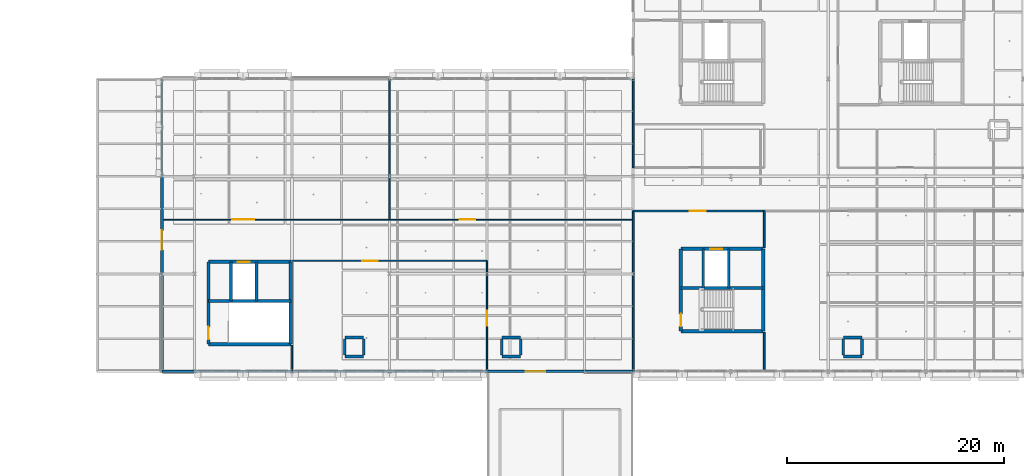
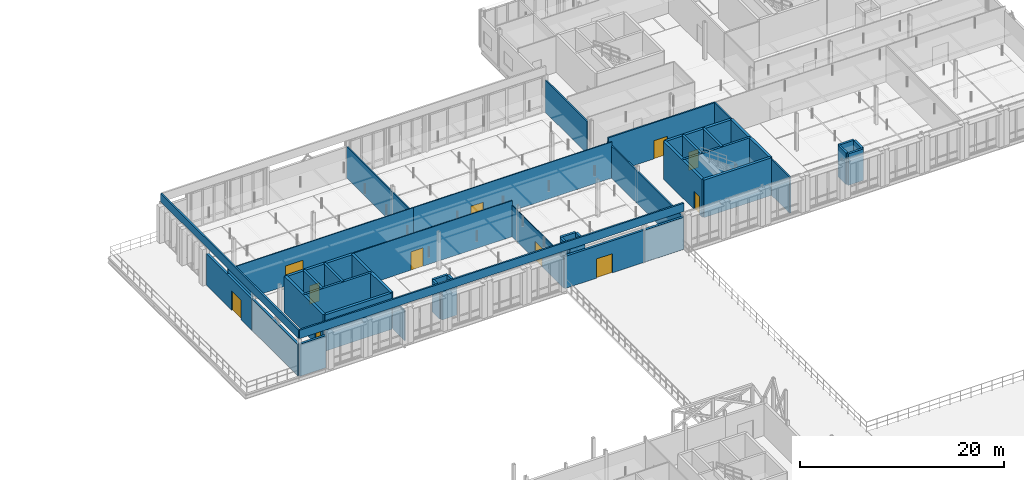
# One storey, part 48 of 89: 44 walls, 11 doors, 11 openings.
"""IFC4 building model written with IfcOpenShell, lengths in metres."""

from ifc_helpers import new_model, si_unit, direction, frame, frame_2d, origin, place, context, subcontext, project, spatial, rectangle, extrude, material, layer, layer_set, type_object, element, fill, save


model = new_model("IFC4")

# Units and contexts
model_context = context("Model", 3, precision=1e-05, world=origin(), true_north=direction((0.0, 1.0)))
body_context = subcontext(model_context, "Body", "Model", "MODEL_VIEW")
ifc_project = project(units=[si_unit("LENGTHUNIT", "METRE"), si_unit("AREAUNIT", "SQUARE_METRE"), si_unit("VOLUMEUNIT", "CUBIC_METRE"), si_unit("PLANEANGLEUNIT", "RADIAN"), si_unit("MASSUNIT", "GRAM", prefix="KILO"), si_unit("THERMODYNAMICTEMPERATUREUNIT", "KELVIN"), si_unit("POWERUNIT", "WATT")], contexts=[model_context])

# Site, building, storey
site_placement = place(None, origin())
site = spatial("IfcSite", under=ifc_project, at=site_placement, CompositionType="ELEMENT")
building_placement = place(site_placement, origin())
building = spatial("IfcBuilding", under=site, at=building_placement, Name="Tallowbark Science Centre", CompositionType="ELEMENT")
storey_placement = place(building_placement, frame((0.0, 0.0, 14.39990234375)))
storey = spatial("IfcBuildingStorey", under=building, at=storey_placement, Name="L03", CompositionType="ELEMENT", Elevation=14.39990234375)

# Walls
ifc_material_1 = material(Name="Precast Concrete Parapet Grade N40 (40 MPa)", Category="concrete")
ifc_layer_1 = layer(ifc_material_1, 0.18505859375)
ifc_layer_set_1 = layer_set([ifc_layer_1], Name="Precast Concrete Parapet Grade N40 (40 MPa)")
wall_type_1 = type_object("IfcWallType", Name="EWL-PAR-185", PredefinedType="PARAPET", material=ifc_layer_set_1)
wall_1_placement = place(storey_placement, frame((69.0, 72.0, 4.5), z_axis=(0.0, 0.0, 1.0), x_axis=(0.0, 1.0, 0.0)))
element("IfcWall", 1, at=wall_1_placement, inside=storey, type_object=wall_type_1, Name="Roof Parapet PAR-LAB-W", PredefinedType="PARAPET", context=body_context, shape_type="SweptSolid", body=[
    extrude(rectangle(XDim=27.0, YDim=0.18505859375, at=frame_2d((13.5, 0.0))), origin(), (0.0, 0.0, 1.0), 1.0),
])
wall_2_placement = place(storey_placement, frame((69.0, 72.0, 4.5), z_axis=(0.0, 0.0, 1.0), x_axis=(1.0, 0.0, 0.0)))
element("IfcWall", 2, at=wall_2_placement, inside=storey, type_object=wall_type_1, Name="Roof Parapet PAR-LAB-S", PredefinedType="PARAPET", context=body_context, shape_type="SweptSolid", body=[
    extrude(rectangle(XDim=43.5, YDim=0.18505859375, at=frame_2d((21.75, 0.0))), origin(), (0.0, 0.0, 1.0), 1.0),
])
ifc_material_2 = material(Name="Insulated Precast Concrete Panel Grade N40 (40 MPa)", Category="concrete")
ifc_layer_2 = layer(ifc_material_2, 0.25)
ifc_layer_set_2 = layer_set([ifc_layer_2], Name="Insulated Precast Concrete Panel Grade N40 (40 MPa)")
wall_type_2 = type_object("IfcWallType", Name="EWL-PRC-250", PredefinedType="STANDARD", material=ifc_layer_set_2)
wall_3_placement = place(storey_placement, frame((69.0, 72.0, 0.0), z_axis=(0.0, 0.0, 1.0), x_axis=(1.0, 0.0, 0.0)))
element("IfcWall", 3, at=wall_3_placement, inside=storey, type_object=wall_type_2, Name="Exterior Wall LAB-S-L03-69", PredefinedType="STANDARD", context=body_context, shape_type="SweptSolid", body=[
    extrude(rectangle(XDim=3.0, YDim=0.25, at=frame_2d((1.5, 0.0))), origin(), (0.0, 0.0, 1.0), 3.84619140625),
])

# Wall, opening, door
wall_4_placement = place(storey_placement, frame((99.0, 72.0, 0.0), z_axis=(0.0, 0.0, 1.0), x_axis=(1.0, 0.0, 0.0)))
wall_4 = element("IfcWall", 4, at=wall_4_placement, inside=storey, type_object=wall_type_2, Name="Exterior Wall LAB-S-L03-99", PredefinedType="STANDARD", context=body_context, shape_type="SweptSolid", body=[
    extrude(rectangle(XDim=9.0, YDim=0.25, at=frame_2d((4.5, 0.0))), origin(), (0.0, 0.0, 1.0), 3.84619140625),
])
opening_1_placement = place(wall_4_placement, frame((3.60009765625, 0.0, 0.0)))
opening_1 = element("IfcOpeningElement", 5, at=opening_1_placement, cuts=wall_4, Name="Opening ED-04", PredefinedType="OPENING", context=body_context, shape_type="SweptSolid", body=[
    extrude(rectangle(XDim=1.800048828125, YDim=2.300048828125, at=frame_2d((0.89990234375, 1.14990234375))), frame((0.0, 0.135009765625, 0.0), z_axis=(0.0, -1.0, 0.0), x_axis=(1.0, 0.0, 0.0)), (0.0, 0.0, 1.0), 0.27001953125),
])
ifc_material_3 = material(Name="Thermally Broken Glazed Aluminium Frame", Category="aluminium")
door_type_1 = type_object("IfcDoorType", Name="EDR-TER-180", OperationType="DOUBLE_DOOR_SINGLE_SWING", PredefinedType="DOOR", material=ifc_material_3)
door_1_placement = place(opening_1_placement, origin())
door_1 = element("IfcDoor", 6, at=door_1_placement, inside=storey, type_object=door_type_1, Name="Exterior Door EDR-L03-031", OperationType="DOUBLE_DOOR_SINGLE_SWING", OverallHeight=2.300048828125, OverallWidth=1.800048828125, PredefinedType="DOOR", context=body_context, shape_type="SweptSolid", body=[
    extrude(rectangle(XDim=1.800048828125, YDim=2.300048828125, at=frame_2d((0.89990234375, 1.14990234375))), frame((0.0, 0.02490234375, 0.0), z_axis=(0.0, -1.0, 0.0), x_axis=(1.0, 0.0, 0.0)), (0.0, 0.0, 1.0), 0.050048828125),
])
fill(opening_1, door_1)

# Walls
wall_5_placement = place(storey_placement, frame((108.0, 72.0, 0.0), z_axis=(0.0, 0.0, 1.0), x_axis=(1.0, 0.0, 0.0)))
element("IfcWall", 7, at=wall_5_placement, inside=storey, type_object=wall_type_2, Name="Exterior Wall LAB-S-L03-108", PredefinedType="STANDARD", context=body_context, shape_type="SweptSolid", body=[
    extrude(rectangle(XDim=4.5, YDim=0.25, at=frame_2d((2.25, 0.0))), origin(), (0.0, 0.0, 1.0), 3.84619140625),
])
wall_6_placement = place(storey_placement, frame((69.0, 81.0, 0.0), z_axis=(0.0, 0.0, 1.0), x_axis=(0.0, -1.0, 0.0)))
element("IfcWall", 8, at=wall_6_placement, inside=storey, type_object=wall_type_2, Name="Exterior Wall LAB-W-L03-72", PredefinedType="STANDARD", context=body_context, shape_type="SweptSolid", body=[
    extrude(rectangle(XDim=9.0, YDim=0.25, at=frame_2d((4.5, 0.0))), origin(), (0.0, 0.0, 1.0), 3.77197265625),
])

# Wall, opening, door
wall_7_placement = place(storey_placement, frame((69.0, 90.0, 0.0), z_axis=(0.0, 0.0, 1.0), x_axis=(0.0, -1.0, 0.0)))
wall_7 = element("IfcWall", 9, at=wall_7_placement, inside=storey, type_object=wall_type_2, Name="Exterior Wall LAB-W-L03-81", PredefinedType="STANDARD", context=body_context, shape_type="SweptSolid", body=[
    extrude(rectangle(XDim=9.0, YDim=0.25, at=frame_2d((4.5, 0.0))), origin(), (0.0, 0.0, 1.0), 3.77197265625),
])
opening_2_placement = place(wall_7_placement, frame((5.0, 0.0, 0.0)))
opening_2 = element("IfcOpeningElement", 10, at=opening_2_placement, cuts=wall_7, Name="Opening ED-04", PredefinedType="OPENING", context=body_context, shape_type="SweptSolid", body=[
    extrude(rectangle(XDim=1.800048828125, YDim=2.300048828125, at=frame_2d((0.89990234375, 1.14990234375))), frame((0.0, 0.135009765625, 0.0), z_axis=(0.0, -1.0, 0.0), x_axis=(1.0, 0.0, 0.0)), (0.0, 0.0, 1.0), 0.27001953125),
])
door_2_placement = place(opening_2_placement, origin())
door_2 = element("IfcDoor", 11, at=door_2_placement, inside=storey, type_object=door_type_1, Name="Exterior Door EDR-L03-032", OperationType="DOUBLE_DOOR_SINGLE_SWING", OverallHeight=2.300048828125, OverallWidth=1.800048828125, PredefinedType="DOOR", context=body_context, shape_type="SweptSolid", body=[
    extrude(rectangle(XDim=1.800048828125, YDim=2.300048828125, at=frame_2d((0.89990234375, 1.14990234375))), frame((0.0, 0.02490234375, 0.0), z_axis=(0.0, -1.0, 0.0), x_axis=(1.0, 0.0, 0.0)), (0.0, 0.0, 1.0), 0.050048828125),
])
fill(opening_2, door_2)

# Walls
ifc_material_4 = material(Name="132 mm Acoustic Laboratory Steel Stud Partition", Category="steel")
ifc_layer_3 = layer(ifc_material_4, 0.132080078125)
ifc_layer_set_3 = layer_set([ifc_layer_3], Name="132 mm Acoustic Laboratory Steel Stud Partition")
wall_type_3 = type_object("IfcWallType", Name="PTW-132", PredefinedType="PARTITIONING", material=ifc_layer_set_3)
wall_8_placement = place(storey_placement, frame((81.0, 72.0, 0.0), z_axis=(0.0, 0.0, 1.0), x_axis=(0.0, 1.0, 0.0)))
element("IfcWall", 12, at=wall_8_placement, inside=storey, type_object=wall_type_3, Name="Interior Partition PTW-L03-0262", PredefinedType="PARTITIONING", context=body_context, shape_type="SweptSolid", body=[
    extrude(rectangle(XDim=2.39990234375, YDim=0.132080078125, at=frame_2d((1.199951171875, 0.0))), origin(), (0.0, 0.0, 1.0), 3.60009765625),
])
wall_9_placement = place(storey_placement, frame((90.0, 86.0, 0.0), z_axis=(0.0, 0.0, 1.0), x_axis=(0.0, 1.0, 0.0)))
element("IfcWall", 13, at=wall_9_placement, inside=storey, type_object=wall_type_3, Name="Interior Partition PTW-L03-0267", PredefinedType="PARTITIONING", context=body_context, shape_type="SweptSolid", body=[
    extrude(rectangle(XDim=13.0, YDim=0.132080078125, at=frame_2d((6.5, 0.0))), origin(), (0.0, 0.0, 1.0), 3.77197265625),
])
ifc_material_5 = material(Name="162 mm Double-Stud Fire-Rated Corridor Partition")
ifc_layer_4 = layer(ifc_material_5, 0.162109375)
ifc_layer_set_4 = layer_set([ifc_layer_4], Name="162 mm Double-Stud Fire-Rated Corridor Partition")
wall_type_4 = type_object("IfcWallType", Name="PTW-162", PredefinedType="PARTITIONING", material=ifc_layer_set_4)
wall_10_placement = place(storey_placement, frame((112.5, 72.0, 0.0), z_axis=(0.0, 0.0, 1.0), x_axis=(0.0, 1.0, 0.0)))
element("IfcWall", 14, at=wall_10_placement, inside=storey, type_object=wall_type_4, Name="Interior Partition PTW-L03-0007", PredefinedType="PARTITIONING", context=body_context, shape_type="SweptSolid", body=[
    extrude(rectangle(XDim=14.800048828125, YDim=0.162109375, at=frame_2d((7.39990234375, 0.0))), origin(), (0.0, 0.0, 1.0), 3.84619140625),
])
wall_11_placement = place(storey_placement, frame((112.5, 90.800048828125, 0.0), z_axis=(0.0, 0.0, 1.0), x_axis=(0.0, 1.0, 0.0)))
element("IfcWall", 15, at=wall_11_placement, inside=storey, type_object=wall_type_4, Name="Interior Partition PTW-L03-0008", PredefinedType="PARTITIONING", context=body_context, shape_type="SweptSolid", body=[
    extrude(rectangle(XDim=8.199951171875, YDim=0.162109375, at=frame_2d((4.10009765625, 0.0))), origin(), (0.0, 0.0, 1.0), 3.84619140625),
])

# Wall, opening, door
wall_12_placement = place(storey_placement, frame((112.5, 86.800048828125, 0.0), z_axis=(0.0, 0.0, 1.0), x_axis=(1.0, 0.0, 0.0)))
wall_12 = element("IfcWall", 16, at=wall_12_placement, inside=storey, type_object=wall_type_4, Name="Interior Partition PTW-L03-0037", PredefinedType="PARTITIONING", context=body_context, shape_type="SweptSolid", body=[
    extrude(rectangle(XDim=12.10009765625, YDim=0.162109375, at=frame_2d((6.050048828125, 0.0))), origin(), (0.0, 0.0, 1.0), 4.320068359375),
])
opening_3_placement = place(wall_12_placement, frame((5.199951171875, 0.0, 0.0)))
opening_3 = element("IfcOpeningElement", 17, at=opening_3_placement, cuts=wall_12, Name="Opening DS-09", PredefinedType="OPENING", context=body_context, shape_type="SweptSolid", body=[
    extrude(rectangle(XDim=1.489990234375, YDim=2.175048828125, at=frame_2d((0.7451171875, 1.08740234375))), frame((0.0, 0.091064453125, 0.0), z_axis=(0.0, -1.0, 0.0), x_axis=(1.0, 0.0, 0.0)), (0.0, 0.0, 1.0), 0.18212890625),
])
ifc_material_6 = material(Name="Fire-Rated Glazed Steel Pair", Category="steel")
door_type_2 = type_object("IfcDoorType", Name="FDR-LOB-145-S09", OperationType="DOUBLE_DOOR_SINGLE_SWING", PredefinedType="DOOR", material=ifc_material_6)
door_3_placement = place(opening_3_placement, origin())
door_3 = element("IfcDoor", 18, at=door_3_placement, inside=storey, type_object=door_type_2, Name="Interior Door IDR-L03-0009", OperationType="DOUBLE_DOOR_SINGLE_SWING", OverallHeight=2.175048828125, OverallWidth=1.489990234375, PredefinedType="DOOR", context=body_context, shape_type="SweptSolid", body=[
    extrude(rectangle(XDim=1.489990234375, YDim=2.175048828125, at=frame_2d((0.7451171875, 1.08740234375))), frame((0.0, 0.02490234375, 0.0), z_axis=(0.0, -1.0, 0.0), x_axis=(1.0, 0.0, 0.0)), (0.0, 0.0, 1.0), 0.050048828125),
])
fill(opening_3, door_3)

# Walls
wall_13_placement = place(storey_placement, frame((124.60009765625, 83.39990234375, 0.0), z_axis=(0.0, 0.0, 1.0), x_axis=(0.0, 1.0, 0.0)))
element("IfcWall", 19, at=wall_13_placement, inside=storey, type_object=wall_type_4, Name="Interior Partition PTW-L03-0038", PredefinedType="PARTITIONING", context=body_context, shape_type="SweptSolid", body=[
    extrude(rectangle(XDim=3.400146484375, YDim=0.162109375, at=frame_2d((1.7001953125, 0.0))), origin(), (0.0, 0.0, 1.0), 4.320068359375),
])
wall_14_placement = place(storey_placement, frame((124.60009765625, 72.0, 0.0), z_axis=(0.0, 0.0, 1.0), x_axis=(0.0, 1.0, 0.0)))
element("IfcWall", 20, at=wall_14_placement, inside=storey, type_object=wall_type_4, Name="Interior Partition PTW-L03-0039", PredefinedType="PARTITIONING", context=body_context, shape_type="SweptSolid", body=[
    extrude(rectangle(XDim=3.60009765625, YDim=0.162109375, at=frame_2d((1.800048828125, 0.0))), origin(), (0.0, 0.0, 1.0), 4.320068359375),
])

# Wall, opening, door
ifc_material_7 = material(Name="108 mm Acoustic Double-Glazed Laboratory Partition")
ifc_layer_5 = layer(ifc_material_7, 0.10791015625)
ifc_layer_set_5 = layer_set([ifc_layer_5], Name="108 mm Acoustic Double-Glazed Laboratory Partition")
wall_type_5 = type_object("IfcWallType", Name="PTW-GLZ-108", PredefinedType="PARTITIONING", material=ifc_layer_set_5)
wall_15_placement = place(storey_placement, frame((99.0, 72.0, 0.0), z_axis=(0.0, 0.0, 1.0), x_axis=(0.0, 1.0, 0.0)))
wall_15 = element("IfcWall", 21, at=wall_15_placement, inside=storey, type_object=wall_type_5, Name="Interior Partition PTW-L03-0263", PredefinedType="PARTITIONING", context=body_context, shape_type="SweptSolid", body=[
    extrude(rectangle(XDim=10.199951171875, YDim=0.10791015625, at=frame_2d((5.10009765625, 0.0))), origin(), (0.0, 0.0, 1.0), 3.77197265625),
])
opening_4_placement = place(wall_15_placement, frame((4.199951171875, 0.0, 0.0)))
opening_4 = element("IfcOpeningElement", 22, at=opening_4_placement, cuts=wall_15, Name="Opening ID-01", PredefinedType="OPENING", context=body_context, shape_type="SweptSolid", body=[
    extrude(rectangle(XDim=1.39990234375, YDim=2.199951171875, at=frame_2d((0.699951171875, 1.10009765625))), frame((0.0, 0.06396484375, 0.0), z_axis=(0.0, -1.0, 0.0), x_axis=(1.0, 0.0, 0.0)), (0.0, 0.0, 1.0), 0.1279296875),
])
ifc_material_8 = material(Name="Vision-Panel Leaf and Unequal Side Leaf")
door_type_3 = type_object("IfcDoorType", Name="IDR-LAB-140", OperationType="DOUBLE_DOOR_SINGLE_SWING", PredefinedType="DOOR", material=ifc_material_8)
door_4_placement = place(opening_4_placement, origin())
door_4 = element("IfcDoor", 23, at=door_4_placement, inside=storey, type_object=door_type_3, Name="Interior Door IDR-L03-0115", OperationType="DOUBLE_DOOR_SINGLE_SWING", OverallHeight=2.199951171875, OverallWidth=1.39990234375, PredefinedType="DOOR", context=body_context, shape_type="SweptSolid", body=[
    extrude(rectangle(XDim=1.39990234375, YDim=2.199951171875, at=frame_2d((0.699951171875, 1.10009765625))), frame((0.0, 0.02490234375, 0.0), z_axis=(0.0, -1.0, 0.0), x_axis=(1.0, 0.0, 0.0)), (0.0, 0.0, 1.0), 0.050048828125),
])
fill(opening_4, door_4)

wall_16_placement = place(storey_placement, frame((81.0, 82.199951171875, 0.0), z_axis=(0.0, 0.0, 1.0), x_axis=(1.0, 0.0, 0.0)))
wall_16 = element("IfcWall", 24, at=wall_16_placement, inside=storey, type_object=wall_type_5, Name="Interior Partition PTW-L03-0264", PredefinedType="PARTITIONING", context=body_context, shape_type="SweptSolid", body=[
    extrude(rectangle(XDim=18.0, YDim=0.10791015625, at=frame_2d((9.0, 0.0))), origin(), (0.0, 0.0, 1.0), 4.320068359375),
])
opening_5_placement = place(wall_16_placement, frame((6.5, 0.0, 0.0)))
opening_5 = element("IfcOpeningElement", 25, at=opening_5_placement, cuts=wall_16, Name="Opening ID-01", PredefinedType="OPENING", context=body_context, shape_type="SweptSolid", body=[
    extrude(rectangle(XDim=1.39990234375, YDim=2.199951171875, at=frame_2d((0.699951171875, 1.10009765625))), frame((0.0, 0.06396484375, 0.0), z_axis=(0.0, -1.0, 0.0), x_axis=(1.0, 0.0, 0.0)), (0.0, 0.0, 1.0), 0.1279296875),
])
door_5_placement = place(opening_5_placement, origin())
door_5 = element("IfcDoor", 26, at=door_5_placement, inside=storey, type_object=door_type_3, Name="Interior Door IDR-L03-0116", OperationType="DOUBLE_DOOR_SINGLE_SWING", OverallHeight=2.199951171875, OverallWidth=1.39990234375, PredefinedType="DOOR", context=body_context, shape_type="SweptSolid", body=[
    extrude(rectangle(XDim=1.39990234375, YDim=2.199951171875, at=frame_2d((0.699951171875, 1.10009765625))), frame((0.0, 0.02490234375, 0.0), z_axis=(0.0, -1.0, 0.0), x_axis=(1.0, 0.0, 0.0)), (0.0, 0.0, 1.0), 0.050048828125),
])
fill(opening_5, door_5)

wall_17_placement = place(storey_placement, frame((69.0, 86.0, 0.0), z_axis=(0.0, 0.0, 1.0), x_axis=(1.0, 0.0, 0.0)))
wall_17 = element("IfcWall", 27, at=wall_17_placement, inside=storey, type_object=wall_type_5, Name="Interior Partition PTW-L03-0265", PredefinedType="PARTITIONING", context=body_context, shape_type="SweptSolid", body=[
    extrude(rectangle(XDim=21.0, YDim=0.10791015625, at=frame_2d((10.5, 0.0))), origin(), (0.0, 0.0, 1.0), 4.320068359375),
])
opening_6_placement = place(wall_17_placement, frame((6.5, 0.0, 0.0)))
opening_6 = element("IfcOpeningElement", 28, at=opening_6_placement, cuts=wall_17, Name="Opening ID-02", PredefinedType="OPENING", context=body_context, shape_type="SweptSolid", body=[
    extrude(rectangle(XDim=2.0, YDim=2.39990234375, at=frame_2d((1.0, 1.199951171875))), frame((0.0, 0.06396484375, 0.0), z_axis=(0.0, -1.0, 0.0), x_axis=(1.0, 0.0, 0.0)), (0.0, 0.0, 1.0), 0.1279296875),
])
ifc_material_9 = material(Name="Spotted Gum Acoustic Gallery Pair", Category="wood")
door_type_4 = type_object("IfcDoorType", Name="IDR-GAL-200", OperationType="DOUBLE_DOOR_DOUBLE_SWING", PredefinedType="DOOR", material=ifc_material_9)
door_6_placement = place(opening_6_placement, origin())
door_6 = element("IfcDoor", 29, at=door_6_placement, inside=storey, type_object=door_type_4, Name="Interior Door IDR-L03-0117", OperationType="DOUBLE_DOOR_DOUBLE_SWING", OverallHeight=2.39990234375, OverallWidth=2.0, PredefinedType="DOOR", context=body_context, shape_type="SweptSolid", body=[
    extrude(rectangle(XDim=2.0, YDim=2.39990234375, at=frame_2d((1.0, 1.199951171875))), frame((0.0, 0.02490234375, 0.0), z_axis=(0.0, -1.0, 0.0), x_axis=(1.0, 0.0, 0.0)), (0.0, 0.0, 1.0), 0.050048828125),
])
fill(opening_6, door_6)

wall_18_placement = place(storey_placement, frame((90.0, 86.0, 0.0), z_axis=(0.0, 0.0, 1.0), x_axis=(1.0, 0.0, 0.0)))
wall_18 = element("IfcWall", 30, at=wall_18_placement, inside=storey, type_object=wall_type_5, Name="Interior Partition PTW-L03-0266", PredefinedType="PARTITIONING", context=body_context, shape_type="SweptSolid", body=[
    extrude(rectangle(XDim=22.5, YDim=0.10791015625, at=frame_2d((11.25, 0.0))), origin(), (0.0, 0.0, 1.0), 4.320068359375),
])
opening_7_placement = place(wall_18_placement, frame((6.5, 0.0, 0.0)))
opening_7 = element("IfcOpeningElement", 31, at=opening_7_placement, cuts=wall_18, Name="Opening ID-01", PredefinedType="OPENING", context=body_context, shape_type="SweptSolid", body=[
    extrude(rectangle(XDim=1.39990234375, YDim=2.199951171875, at=frame_2d((0.699951171875, 1.10009765625))), frame((0.0, 0.06396484375, 0.0), z_axis=(0.0, -1.0, 0.0), x_axis=(1.0, 0.0, 0.0)), (0.0, 0.0, 1.0), 0.1279296875),
])
door_7_placement = place(opening_7_placement, origin())
door_7 = element("IfcDoor", 32, at=door_7_placement, inside=storey, type_object=door_type_3, Name="Interior Door IDR-L03-0118", OperationType="DOUBLE_DOOR_SINGLE_SWING", OverallHeight=2.199951171875, OverallWidth=1.39990234375, PredefinedType="DOOR", context=body_context, shape_type="SweptSolid", body=[
    extrude(rectangle(XDim=1.39990234375, YDim=2.199951171875, at=frame_2d((0.699951171875, 1.10009765625))), frame((0.0, 0.02490234375, 0.0), z_axis=(0.0, -1.0, 0.0), x_axis=(1.0, 0.0, 0.0)), (0.0, 0.0, 1.0), 0.050048828125),
])
fill(opening_7, door_7)

ifc_material_10 = material(Name="Concrete Grade N40 (40 MPa)", Category="concrete")
ifc_layer_6 = layer(ifc_material_10, 0.300048828125)
ifc_layer_set_6 = layer_set([ifc_layer_6], Name="Concrete Grade N40 (40 MPa)")
wall_type_6 = type_object("IfcWallType", Name="WL-CORE-300", PredefinedType="SHEAR", material=ifc_layer_set_6)
wall_19_placement = place(storey_placement, frame((73.300048828125, 74.5, 0.0), z_axis=(0.0, 0.0, 1.0), x_axis=(0.0, 1.0, 0.0)))
wall_19 = element("IfcWall", 33, at=wall_19_placement, inside=storey, type_object=wall_type_6, Name="Core C1 Shear Wall L03 W", PredefinedType="SHEAR", context=body_context, shape_type="SweptSolid", body=[
    extrude(rectangle(XDim=7.60009765625, YDim=0.300048828125, at=frame_2d((3.800048828125, 0.0))), origin(), (0.0, 0.0, 1.0), 4.340087890625),
])
opening_8_placement = place(wall_19_placement, frame((0.449951171875, 0.0, 0.0)))
opening_8 = element("IfcOpeningElement", 34, at=opening_8_placement, cuts=wall_19, Name="Opening FD-01", PredefinedType="OPENING", context=body_context, shape_type="SweptSolid", body=[
    extrude(rectangle(XDim=1.14990234375, YDim=2.14990234375, at=frame_2d((0.574951171875, 1.074951171875))), frame((0.0, 0.16015625, 0.0), z_axis=(0.0, -1.0, 0.0), x_axis=(1.0, 0.0, 0.0)), (0.0, 0.0, 1.0), 0.320068359375),
])
ifc_material_11 = material(Name="Fire-Rated Pressed Steel Frame and Solid Core Leaf", Category="steel")
door_type_5 = type_object("IfcDoorType", Name="FDR-STR-115", OperationType="NOTDEFINED", PredefinedType="DOOR", material=ifc_material_11)
door_8_placement = place(opening_8_placement, origin())
door_8 = element("IfcDoor", 35, at=door_8_placement, inside=storey, type_object=door_type_5, Name="Stair ST-01 Fire Door L03", OperationType="SINGLE_SWING_LEFT", OverallHeight=2.14990234375, OverallWidth=1.14990234375, PredefinedType="DOOR", context=body_context, shape_type="SweptSolid", body=[
    extrude(rectangle(XDim=1.14990234375, YDim=2.14990234375, at=frame_2d((0.574951171875, 1.074951171875))), frame((0.0, 0.02490234375, 0.0), z_axis=(0.0, -1.0, 0.0), x_axis=(1.0, 0.0, 0.0)), (0.0, 0.0, 1.0), 0.050048828125),
])
fill(opening_8, door_8)

# Walls
wall_20_placement = place(storey_placement, frame((80.89990234375, 74.5, 0.0), z_axis=(0.0, 0.0, 1.0), x_axis=(0.0, 1.0, 0.0)))
element("IfcWall", 36, at=wall_20_placement, inside=storey, type_object=wall_type_6, Name="Core C1 Shear Wall L03 E", PredefinedType="SHEAR", context=body_context, shape_type="SweptSolid", body=[
    extrude(rectangle(XDim=7.60009765625, YDim=0.300048828125, at=frame_2d((3.800048828125, 0.0))), origin(), (0.0, 0.0, 1.0), 4.340087890625),
])
wall_21_placement = place(storey_placement, frame((73.300048828125, 74.5, 0.0), z_axis=(0.0, 0.0, 1.0), x_axis=(1.0, 0.0, 0.0)))
element("IfcWall", 37, at=wall_21_placement, inside=storey, type_object=wall_type_6, Name="Core C1 Shear Wall L03 S", PredefinedType="SHEAR", context=body_context, shape_type="SweptSolid", body=[
    extrude(rectangle(XDim=7.599853515625, YDim=0.300048828125, at=frame_2d((3.7998046875, 0.0))), origin(), (0.0, 0.0, 1.0), 4.340087890625),
])

# Wall, opening, door
wall_22_placement = place(storey_placement, frame((73.300048828125, 82.10009765625, 0.0), z_axis=(0.0, 0.0, 1.0), x_axis=(1.0, 0.0, 0.0)))
wall_22 = element("IfcWall", 38, at=wall_22_placement, inside=storey, type_object=wall_type_6, Name="Core C1 Shear Wall L03 N", PredefinedType="SHEAR", context=body_context, shape_type="SweptSolid", body=[
    extrude(rectangle(XDim=7.599853515625, YDim=0.300048828125, at=frame_2d((3.7998046875, 0.0))), origin(), (0.0, 0.0, 1.0), 4.340087890625),
])
opening_9_placement = place(wall_22_placement, frame((2.699951171875, 0.0, 0.0)))
opening_9 = element("IfcOpeningElement", 39, at=opening_9_placement, cuts=wall_22, Name="Opening LD-01", PredefinedType="OPENING", context=body_context, shape_type="SweptSolid", body=[
    extrude(rectangle(XDim=1.10009765625, YDim=2.199951171875, at=frame_2d((0.550048828125, 1.10009765625))), frame((0.0, 0.16015625, 0.0), z_axis=(0.0, -1.0, 0.0), x_axis=(1.0, 0.0, 0.0)), (0.0, 0.0, 1.0), 0.320068359375),
])
ifc_material_12 = material(Name="Brushed Stainless Steel Centre-Parting Lift Landing Door", Category="steel")
door_type_6 = type_object("IfcDoorType", Name="LDR-LFT-110", OperationType="DOUBLE_DOOR_SLIDING", PredefinedType="DOOR", material=ifc_material_12)
door_9_placement = place(opening_9_placement, origin())
door_9 = element("IfcDoor", 40, at=door_9_placement, inside=storey, type_object=door_type_6, Name="Lift LF-01 Landing Door L03", OperationType="DOUBLE_DOOR_SLIDING", OverallHeight=2.199951171875, OverallWidth=1.10009765625, PredefinedType="DOOR", context=body_context, shape_type="SweptSolid", body=[
    extrude(rectangle(XDim=1.10009765625, YDim=2.199951171875, at=frame_2d((0.550048828125, 1.10009765625))), frame((0.0, 0.02490234375, 0.0), z_axis=(0.0, -1.0, 0.0), x_axis=(1.0, 0.0, 0.0)), (0.0, 0.0, 1.0), 0.050048828125),
])
fill(opening_9, door_9)

wall_23_placement = place(storey_placement, frame((116.89990234375, 75.699951171875, 0.0), z_axis=(0.0, 0.0, 1.0), x_axis=(0.0, 1.0, 0.0)))
wall_23 = element("IfcWall", 41, at=wall_23_placement, inside=storey, type_object=wall_type_6, Name="Core C2 Shear Wall L03 W", PredefinedType="SHEAR", context=body_context, shape_type="SweptSolid", body=[
    extrude(rectangle(XDim=7.60009765625, YDim=0.300048828125, at=frame_2d((3.800048828125, 0.0))), origin(), (0.0, 0.0, 1.0), 4.5),
])
opening_10_placement = place(wall_23_placement, frame((0.449951171875, 0.0, 0.0)))
opening_10 = element("IfcOpeningElement", 42, at=opening_10_placement, cuts=wall_23, Name="Opening FD-01", PredefinedType="OPENING", context=body_context, shape_type="SweptSolid", body=[
    extrude(rectangle(XDim=1.14990234375, YDim=2.14990234375, at=frame_2d((0.574951171875, 1.074951171875))), frame((0.0, 0.16015625, 0.0), z_axis=(0.0, -1.0, 0.0), x_axis=(1.0, 0.0, 0.0)), (0.0, 0.0, 1.0), 0.320068359375),
])
door_10_placement = place(opening_10_placement, origin())
door_10 = element("IfcDoor", 43, at=door_10_placement, inside=storey, type_object=door_type_5, Name="Stair ST-02 Fire Door L03", OperationType="SINGLE_SWING_RIGHT", OverallHeight=2.14990234375, OverallWidth=1.14990234375, PredefinedType="DOOR", context=body_context, shape_type="SweptSolid", body=[
    extrude(rectangle(XDim=1.14990234375, YDim=2.14990234375, at=frame_2d((0.574951171875, 1.074951171875))), frame((0.0, 0.02490234375, 0.0), z_axis=(0.0, -1.0, 0.0), x_axis=(1.0, 0.0, 0.0)), (0.0, 0.0, 1.0), 0.050048828125),
])
fill(opening_10, door_10)

# Walls
for number, where, z_axis, x_axis, name in (
    (44, (124.5, 75.699951171875, 0.0), (0.0, 0.0, 1.0), (0.0, 1.0, 0.0), "Core C2 Shear Wall L03 E"),
    (45, (116.89990234375, 75.699951171875, 0.0), (0.0, 0.0, 1.0), (1.0, 0.0, 0.0), "Core C2 Shear Wall L03 S"),
):
    element("IfcWall", number, at=place(storey_placement, frame(where, z_axis=z_axis, x_axis=x_axis)), inside=storey, type_object=wall_type_6, Name=name, PredefinedType="SHEAR", context=body_context, shape_type="SweptSolid", body=[
        extrude(rectangle(XDim=7.60009765625, YDim=0.300048828125, at=frame_2d((3.800048828125, 0.0))), origin(), (0.0, 0.0, 1.0), 4.5),
    ])

# Wall, opening, door
wall_24_placement = place(storey_placement, frame((116.89990234375, 83.300048828125, 0.0), z_axis=(0.0, 0.0, 1.0), x_axis=(1.0, 0.0, 0.0)))
wall_24 = element("IfcWall", 46, at=wall_24_placement, inside=storey, type_object=wall_type_6, Name="Core C2 Shear Wall L03 N", PredefinedType="SHEAR", context=body_context, shape_type="SweptSolid", body=[
    extrude(rectangle(XDim=7.60009765625, YDim=0.300048828125, at=frame_2d((3.800048828125, 0.0))), origin(), (0.0, 0.0, 1.0), 4.5),
])
opening_11_placement = place(wall_24_placement, frame((2.699951171875, 0.0, 0.0)))
opening_11 = element("IfcOpeningElement", 47, at=opening_11_placement, cuts=wall_24, Name="Opening LD-01", PredefinedType="OPENING", context=body_context, shape_type="SweptSolid", body=[
    extrude(rectangle(XDim=1.10009765625, YDim=2.199951171875, at=frame_2d((0.550048828125, 1.10009765625))), frame((0.0, 0.16015625, 0.0), z_axis=(0.0, -1.0, 0.0), x_axis=(1.0, 0.0, 0.0)), (0.0, 0.0, 1.0), 0.320068359375),
])
door_11_placement = place(opening_11_placement, origin())
door_11 = element("IfcDoor", 48, at=door_11_placement, inside=storey, type_object=door_type_6, Name="Lift LF-02 Landing Door L03", OperationType="DOUBLE_DOOR_SLIDING", OverallHeight=2.199951171875, OverallWidth=1.10009765625, PredefinedType="DOOR", context=body_context, shape_type="SweptSolid", body=[
    extrude(rectangle(XDim=1.10009765625, YDim=2.199951171875, at=frame_2d((0.550048828125, 1.10009765625))), frame((0.0, 0.02490234375, 0.0), z_axis=(0.0, -1.0, 0.0), x_axis=(1.0, 0.0, 0.0)), (0.0, 0.0, 1.0), 0.050048828125),
])
fill(opening_11, door_11)

# Walls
ifc_layer_7 = layer(ifc_material_10, 0.25)
ifc_layer_set_7 = layer_set([ifc_layer_7], Name="Concrete Grade N40 (40 MPa)")
wall_type_7 = type_object("IfcWallType", Name="WL-SHAFT-250", PredefinedType="SHEAR", material=ifc_layer_set_7)
wall_25_placement = place(storey_placement, frame((73.300048828125, 78.4951171875, 0.0), z_axis=(0.0, 0.0, 1.0), x_axis=(1.0, 0.0, 0.0)))
element("IfcWall", 49, at=wall_25_placement, inside=storey, type_object=wall_type_7, Name="Core C1 Shear Wall L03 MID", PredefinedType="SHEAR", context=body_context, shape_type="SweptSolid", body=[
    extrude(rectangle(XDim=7.599853515625, YDim=0.25, at=frame_2d((3.7998046875, 0.0))), origin(), (0.0, 0.0, 1.0), 4.340087890625),
])
for number, where, z_axis, x_axis, name in (
    (50, (75.375, 78.4951171875, 0.0), (0.0, 0.0, 1.0), (0.0, 1.0, 0.0), "Core C1 Shear Wall L03 LW"),
    (51, (77.72509765625, 78.4951171875, 0.0), (0.0, 0.0, 1.0), (0.0, 1.0, 0.0), "Core C1 Shear Wall L03 LE"),
):
    element("IfcWall", number, at=place(storey_placement, frame(where, z_axis=z_axis, x_axis=x_axis)), inside=storey, type_object=wall_type_7, Name=name, PredefinedType="SHEAR", context=body_context, shape_type="SweptSolid", body=[
        extrude(rectangle(XDim=3.60498046875, YDim=0.25, at=frame_2d((1.802490234375, 0.0))), origin(), (0.0, 0.0, 1.0), 4.340087890625),
    ])
wall_26_placement = place(storey_placement, frame((116.89990234375, 79.695068359375, 0.0), z_axis=(0.0, 0.0, 1.0), x_axis=(1.0, 0.0, 0.0)))
element("IfcWall", 52, at=wall_26_placement, inside=storey, type_object=wall_type_7, Name="Core C2 Shear Wall L03 MID", PredefinedType="SHEAR", context=body_context, shape_type="SweptSolid", body=[
    extrude(rectangle(XDim=7.60009765625, YDim=0.25, at=frame_2d((3.800048828125, 0.0))), origin(), (0.0, 0.0, 1.0), 4.5),
])
for number, where, z_axis, x_axis, name in (
    (53, (118.97509765625, 79.695068359375, 0.0), (0.0, 0.0, 1.0), (0.0, 1.0, 0.0), "Core C2 Shear Wall L03 LW"),
    (54, (121.324951171875, 79.695068359375, 0.0), (0.0, 0.0, 1.0), (0.0, 1.0, 0.0), "Core C2 Shear Wall L03 LE"),
):
    element("IfcWall", number, at=place(storey_placement, frame(where, z_axis=z_axis, x_axis=x_axis)), inside=storey, type_object=wall_type_7, Name=name, PredefinedType="SHEAR", context=body_context, shape_type="SweptSolid", body=[
        extrude(rectangle(XDim=3.60498046875, YDim=0.25, at=frame_2d((1.802490234375, 0.0))), origin(), (0.0, 0.0, 1.0), 4.5),
    ])
for number, where, z_axis, x_axis, name in (
    (55, (85.89990234375, 73.375, 0.0), (0.0, 0.0, 1.0), (1.0, 0.0, 0.0), "Service Riser Shaft Wall RSR-LAB-W3 L03 S"),
    (56, (85.89990234375, 75.125, 0.0), (0.0, 0.0, 1.0), (1.0, 0.0, 0.0), "Service Riser Shaft Wall RSR-LAB-W3 L03 N"),
):
    element("IfcWall", number, at=place(storey_placement, frame(where, z_axis=z_axis, x_axis=x_axis)), inside=storey, type_object=wall_type_7, Name=name, PredefinedType="SHEAR", context=body_context, shape_type="SweptSolid", body=[
        extrude(rectangle(XDim=1.7001953125, YDim=0.25, at=frame_2d((0.85009765625, 0.0))), origin(), (0.0, 0.0, 1.0), 3.77001953125),
    ])
for number, where, z_axis, x_axis, name in (
    (57, (85.875, 73.5, 0.0), (0.0, 0.0, 1.0), (0.0, 1.0, 0.0), "Service Riser Shaft Wall RSR-LAB-W3 L03 W"),
    (58, (87.625, 73.5, 0.0), (0.0, 0.0, 1.0), (0.0, 1.0, 0.0), "Service Riser Shaft Wall RSR-LAB-W3 L03 E"),
):
    element("IfcWall", number, at=place(storey_placement, frame(where, z_axis=z_axis, x_axis=x_axis)), inside=storey, type_object=wall_type_7, Name=name, PredefinedType="SHEAR", context=body_context, shape_type="SweptSolid", body=[
        extrude(rectangle(XDim=1.5, YDim=0.25, at=frame_2d((0.75, 0.0))), origin(), (0.0, 0.0, 1.0), 3.77001953125),
    ])
for number, where, z_axis, x_axis, name in (
    (59, (100.39990234375, 73.375, 0.0), (0.0, 0.0, 1.0), (1.0, 0.0, 0.0), "Service Riser Shaft Wall RSR-LAB-E L03 S"),
    (60, (100.39990234375, 75.125, 0.0), (0.0, 0.0, 1.0), (1.0, 0.0, 0.0), "Service Riser Shaft Wall RSR-LAB-E L03 N"),
):
    element("IfcWall", number, at=place(storey_placement, frame(where, z_axis=z_axis, x_axis=x_axis)), inside=storey, type_object=wall_type_7, Name=name, PredefinedType="SHEAR", context=body_context, shape_type="SweptSolid", body=[
        extrude(rectangle(XDim=1.7001953125, YDim=0.25, at=frame_2d((0.85009765625, 0.0))), origin(), (0.0, 0.0, 1.0), 3.77001953125),
    ])
for number, where, z_axis, x_axis, name in (
    (61, (100.375, 73.5, 0.0), (0.0, 0.0, 1.0), (0.0, 1.0, 0.0), "Service Riser Shaft Wall RSR-LAB-E L03 W"),
    (62, (102.125, 73.5, 0.0), (0.0, 0.0, 1.0), (0.0, 1.0, 0.0), "Service Riser Shaft Wall RSR-LAB-E L03 E"),
):
    element("IfcWall", number, at=place(storey_placement, frame(where, z_axis=z_axis, x_axis=x_axis)), inside=storey, type_object=wall_type_7, Name=name, PredefinedType="SHEAR", context=body_context, shape_type="SweptSolid", body=[
        extrude(rectangle(XDim=1.5, YDim=0.25, at=frame_2d((0.75, 0.0))), origin(), (0.0, 0.0, 1.0), 3.77001953125),
    ])
for number, where, z_axis, x_axis, name in (
    (63, (131.89990234375, 73.375, 0.0), (0.0, 0.0, 1.0), (1.0, 0.0, 0.0), "Service Riser Shaft Wall RSR-OBS-S L03 S"),
    (64, (131.89990234375, 75.125, 0.0), (0.0, 0.0, 1.0), (1.0, 0.0, 0.0), "Service Riser Shaft Wall RSR-OBS-S L03 N"),
):
    element("IfcWall", number, at=place(storey_placement, frame(where, z_axis=z_axis, x_axis=x_axis)), inside=storey, type_object=wall_type_7, Name=name, PredefinedType="SHEAR", context=body_context, shape_type="SweptSolid", body=[
        extrude(rectangle(XDim=1.7001953125, YDim=0.25, at=frame_2d((0.85009765625, 0.0))), origin(), (0.0, 0.0, 1.0), 3.77001953125),
    ])
for number, where, z_axis, x_axis, name in (
    (65, (131.875, 73.5, 0.0), (0.0, 0.0, 1.0), (0.0, 1.0, 0.0), "Service Riser Shaft Wall RSR-OBS-S L03 W"),
    (66, (133.625, 73.5, 0.0), (0.0, 0.0, 1.0), (0.0, 1.0, 0.0), "Service Riser Shaft Wall RSR-OBS-S L03 E"),
):
    element("IfcWall", number, at=place(storey_placement, frame(where, z_axis=z_axis, x_axis=x_axis)), inside=storey, type_object=wall_type_7, Name=name, PredefinedType="SHEAR", context=body_context, shape_type="SweptSolid", body=[
        extrude(rectangle(XDim=1.5, YDim=0.25, at=frame_2d((0.75, 0.0))), origin(), (0.0, 0.0, 1.0), 3.77001953125),
    ])

save(model, "model.ifc")
